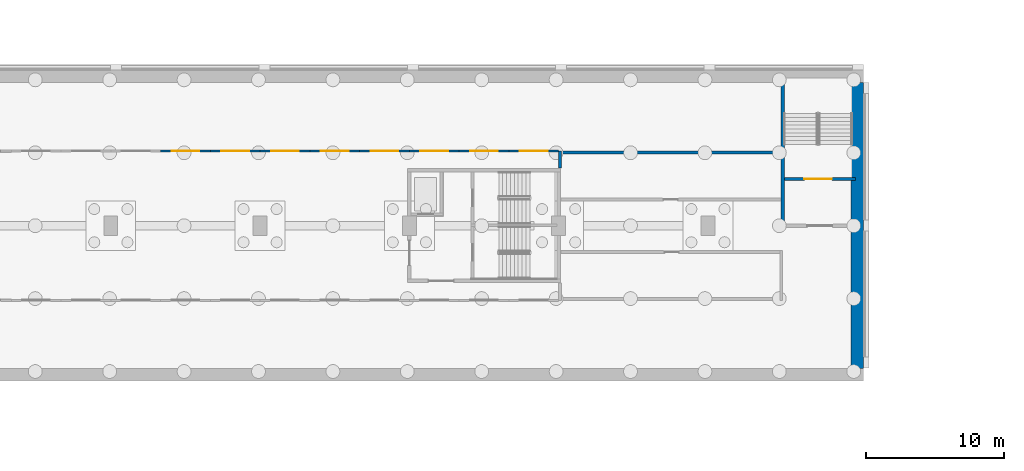
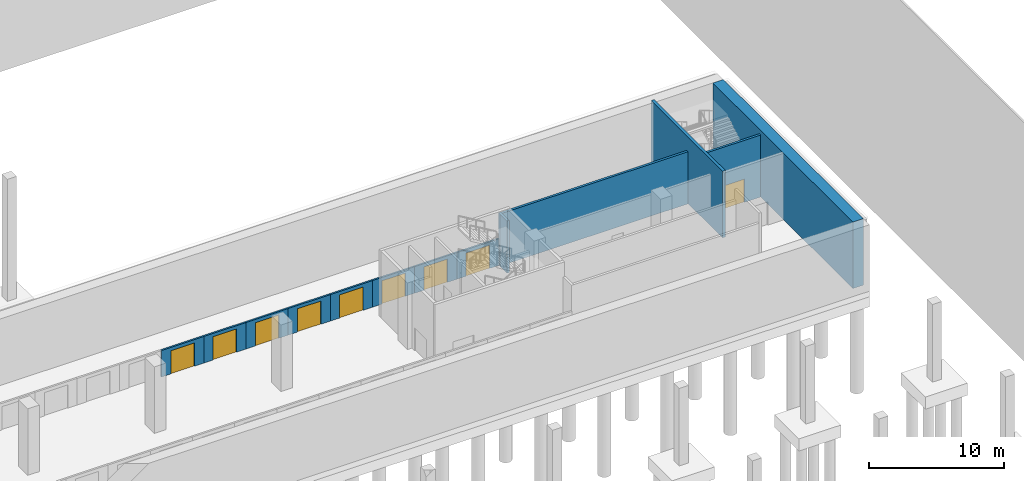
# One storey, part 12 of 39: 13 walls, 9 doors, 9 openings.
"""IFC4 building model written with IfcOpenShell, lengths in metres."""

from ifc_helpers import new_model, si_unit, direction, frame, frame_2d, origin, place, context, subcontext, project, spatial, rectangle, extrude, material, layer, layer_set, type_object, element, fill, save


model = new_model("IFC4")

# Units and contexts
model_context = context("Model", 3, precision=1e-05, world=origin(), true_north=direction((0.0, 1.0)))
body_context = subcontext(model_context, "Body", "Model", "MODEL_VIEW")
ifc_project = project(units=[si_unit("LENGTHUNIT", "METRE"), si_unit("AREAUNIT", "SQUARE_METRE"), si_unit("VOLUMEUNIT", "CUBIC_METRE"), si_unit("PLANEANGLEUNIT", "RADIAN"), si_unit("MASSUNIT", "GRAM", prefix="KILO")], contexts=[model_context])

# Site, building, storey
site_placement = place(None, origin())
site = spatial("IfcSite", under=ifc_project, at=site_placement, CompositionType="ELEMENT")
building_placement = place(site_placement, origin())
building = spatial("IfcBuilding", under=site, at=building_placement, Name="Magnolia Steps Interchange", CompositionType="ELEMENT")
storey_placement = place(building_placement, frame((0.0, 0.0, -11.39990234375)))
storey = spatial("IfcBuildingStorey", under=building, at=storey_placement, Name="B2", CompositionType="ELEMENT", Elevation=-11.39990234375)

# Wall, opening, door
ifc_material_1 = material(Name="Concrete C35", Category="concrete")
ifc_layer_1 = layer(ifc_material_1, 0.199951171875)
ifc_layer_set_1 = layer_set([ifc_layer_1], Name="Core enclosure wall 200")
wall_type_1 = type_object("IfcWallType", Name="Core enclosure wall 200", PredefinedType="SOLIDWALL", material=ifc_layer_set_1)
wall_1_placement = place(storey_placement, frame((177.52490234375, 67.375, 0.0), z_axis=(0.0, 0.0, 1.0), x_axis=(1.0, 0.0, 0.0)))
wall_1 = element("IfcWall", 1, at=wall_1_placement, inside=storey, type_object=wall_type_1, Name="B2 BE-E enclosure wall", PredefinedType="SOLIDWALL", context=body_context, shape_type="SweptSolid", body=[
    extrude(rectangle(XDim=5.150146484375, YDim=0.199951171875, at=frame_2d((2.5751953125, 0.0))), origin(), (0.0, 0.0, 1.0), 5.599853515625),
])
opening_1_placement = place(wall_1_placement, frame((1.449951171875, 0.0, 0.0)))
opening_1 = element("IfcOpeningElement", 2, at=opening_1_placement, cuts=wall_1, Name="Opening D-BE-E-B2-1", PredefinedType="OPENING", context=body_context, shape_type="SweptSolid", body=[
    extrude(rectangle(XDim=2.0, YDim=2.10009765625, at=frame_2d((1.0, 1.050048828125))), frame((0.0, 0.10986328125, 0.0), z_axis=(0.0, -1.0, 0.0), x_axis=(1.0, 0.0, 0.0)), (0.0, 0.0, 1.0), 0.219970703125),
])
ifc_material_2 = material(Name="Painted steel", Category="steel")
door_type_1 = type_object("IfcDoorType", Name="Stair fire door pair 2000x2100", OperationType="DOUBLE_DOOR_DOUBLE_SWING", PredefinedType="DOOR", material=ifc_material_2)
door_1_placement = place(opening_1_placement, frame((2.0, 0.0, 0.0), z_axis=(0.0, 0.0, 1.0), x_axis=(-1.0, 0.0, 0.0)))
door_1 = element("IfcDoor", 3, at=door_1_placement, inside=storey, type_object=door_type_1, Name="Stair door ST16 B2", OperationType="DOUBLE_DOOR_DOUBLE_SWING", OverallHeight=2.10009765625, OverallWidth=2.0, PredefinedType="DOOR", context=body_context, shape_type="SweptSolid", body=[
    extrude(rectangle(XDim=2.0, YDim=2.10009765625, at=frame_2d((1.0, 1.050048828125))), frame((0.0, 0.02490234375, 0.0), z_axis=(0.0, -1.0, 0.0), x_axis=(1.0, 0.0, 0.0)), (0.0, 0.0, 1.0), 0.050048828125),
])
fill(opening_1, door_1)

# Walls
ifc_material_3 = material(Name="Concrete C40", Category="concrete")
ifc_layer_2 = layer(ifc_material_3, 0.25)
ifc_layer_set_2 = layer_set([ifc_layer_2], Name="Core wall 250")
wall_type_2 = type_object("IfcWallType", Name="Core wall 250", PredefinedType="SOLIDWALL", material=ifc_layer_set_2)
wall_2_placement = place(storey_placement, frame((177.39990234375, 74.675048828125, 0.0), z_axis=(0.0, 0.0, 1.0), x_axis=(0.0, -1.0, 0.0)))
element("IfcWall", 4, at=wall_2_placement, inside=storey, type_object=wall_type_2, Name="Core wall BE-E", PredefinedType="SOLIDWALL", context=body_context, shape_type="SweptSolid", body=[
    extrude(rectangle(XDim=10.550048828125, YDim=0.25, at=frame_2d((5.27490234375, 0.0))), origin(), (0.0, 0.0, 1.0), 6.0),
])
ifc_material_4 = material(Name="Concrete C40", Category="concrete")
ifc_layer_3 = layer(ifc_material_4, 0.89990234375)
ifc_layer_set_3 = layer_set([ifc_layer_3], Name="Diaphragm wall 900")
wall_type_3 = type_object("IfcWallType", Name="Diaphragm wall 900", PredefinedType="SOLIDWALL", material=ifc_layer_set_3)
wall_3_placement = place(storey_placement, frame((182.800048828125, 53.64990234375, 0.0), z_axis=(0.0, 0.0, 1.0), x_axis=(0.0, 1.0, 0.0)))
element("IfcWall", 5, at=wall_3_placement, inside=storey, type_object=wall_type_3, Name="Metro box wall E", PredefinedType="SOLIDWALL", context=body_context, shape_type="SweptSolid", body=[
    extrude(rectangle(XDim=20.7001953125, YDim=0.89990234375, at=frame_2d((10.35009765625, 0.0))), origin(), (0.0, 0.0, 1.0), 6.0),
])
ifc_material_5 = material(Name="Fair-faced blockwork", Category="masonry")
ifc_layer_4 = layer(ifc_material_5, 0.199951171875)
ifc_layer_set_4 = layer_set([ifc_layer_4], Name="Fire partition wall 200")
wall_type_4 = type_object("IfcWallType", Name="Fire partition wall 200", PredefinedType="PARTITIONING", material=ifc_layer_set_4)
wall_4_placement = place(storey_placement, frame((161.300048828125, 68.155029296875, 0.0), z_axis=(0.0, 0.0, 1.0), x_axis=(0.0, 1.0, 0.0)))
element("IfcWall", 6, at=wall_4_placement, inside=storey, type_object=wall_type_4, Name="B2 partition 25", PredefinedType="PARTITIONING", context=body_context, shape_type="SweptSolid", body=[
    extrude(rectangle(XDim=1.244873046875, YDim=0.199951171875, at=frame_2d((0.62255859375, 0.0))), origin(), (0.0, 0.0, 1.0), 4.699951171875),
])
wall_5_placement = place(storey_placement, frame((161.199951171875, 69.300048828125, 0.0), z_axis=(0.0, 0.0, 1.0), x_axis=(1.0, 0.0, 0.0)))
element("IfcWall", 7, at=wall_5_placement, inside=storey, type_object=wall_type_4, Name="B2 partition 26", PredefinedType="PARTITIONING", context=body_context, shape_type="SweptSolid", body=[
    extrude(rectangle(XDim=16.045166015625, YDim=0.199951171875, at=frame_2d((8.0224609375, 0.0))), origin(), (0.0, 0.0, 1.0), 4.699951171875),
])

# Wall, opening, door
ifc_material_6 = material(Name="Toughened glass", Category="glass")
ifc_layer_5 = layer(ifc_material_6, 0.14990234375)
ifc_layer_set_5 = layer_set([ifc_layer_5], Name="Platform screen panel 150")
wall_type_5 = type_object("IfcWallType", Name="Platform screen panel 150", PredefinedType="PARTITIONING", material=ifc_layer_set_5)
wall_6_placement = place(storey_placement, frame((132.39990234375, 69.39990234375, 0.0), z_axis=(0.0, 0.0, 1.0), x_axis=(1.0, 0.0, 0.0)))
wall_6 = element("IfcWall", 8, at=wall_6_placement, inside=storey, type_object=wall_type_5, Name="Platform screen 53", PredefinedType="PARTITIONING", context=body_context, shape_type="SweptSolid", body=[
    extrude(rectangle(XDim=3.60009765625, YDim=0.14990234375, at=frame_2d((1.800048828125, 0.0))), origin(), (0.0, 0.0, 1.0), 2.39990234375),
])
opening_2_placement = place(wall_6_placement, frame((0.800048828125, 0.0, 0.0)))
opening_2 = element("IfcOpeningElement", 9, at=opening_2_placement, cuts=wall_6, Name="Opening PSD", PredefinedType="OPENING", context=body_context, shape_type="SweptSolid", body=[
    extrude(rectangle(XDim=2.0, YDim=2.10009765625, at=frame_2d((1.0, 1.050048828125))), frame((0.0, 0.0849609375, 0.0), z_axis=(0.0, -1.0, 0.0), x_axis=(1.0, 0.0, 0.0)), (0.0, 0.0, 1.0), 0.169921875),
])
ifc_material_7 = material(Name="Toughened glass", Category="glass")
door_type_2 = type_object("IfcDoorType", Name="Platform screen door 2000x2100", OperationType="DOUBLE_DOOR_SLIDING", PredefinedType="DOOR", material=ifc_material_7)
door_2_placement = place(opening_2_placement, origin())
door_2 = element("IfcDoor", 10, at=door_2_placement, inside=storey, type_object=door_type_2, Name="Platform screen door 53", OperationType="DOUBLE_DOOR_SLIDING", OverallHeight=2.10009765625, OverallWidth=2.0, PredefinedType="DOOR", context=body_context, shape_type="SweptSolid", body=[
    extrude(rectangle(XDim=2.0, YDim=2.10009765625, at=frame_2d((1.0, 1.050048828125))), frame((0.0, 0.02490234375, 0.0), z_axis=(0.0, -1.0, 0.0), x_axis=(1.0, 0.0, 0.0)), (0.0, 0.0, 1.0), 0.050048828125),
])
fill(opening_2, door_2)

wall_7_placement = place(storey_placement, frame((136.0, 69.39990234375, 0.0), z_axis=(0.0, 0.0, 1.0), x_axis=(1.0, 0.0, 0.0)))
wall_7 = element("IfcWall", 11, at=wall_7_placement, inside=storey, type_object=wall_type_5, Name="Platform screen 54", PredefinedType="PARTITIONING", context=body_context, shape_type="SweptSolid", body=[
    extrude(rectangle(XDim=3.60009765625, YDim=0.14990234375, at=frame_2d((1.800048828125, 0.0))), origin(), (0.0, 0.0, 1.0), 2.39990234375),
])
opening_3_placement = place(wall_7_placement, frame((0.800048828125, 0.0, 0.0)))
opening_3 = element("IfcOpeningElement", 12, at=opening_3_placement, cuts=wall_7, Name="Opening PSD", PredefinedType="OPENING", context=body_context, shape_type="SweptSolid", body=[
    extrude(rectangle(XDim=2.0, YDim=2.10009765625, at=frame_2d((1.0, 1.050048828125))), frame((0.0, 0.0849609375, 0.0), z_axis=(0.0, -1.0, 0.0), x_axis=(1.0, 0.0, 0.0)), (0.0, 0.0, 1.0), 0.169921875),
])
door_3_placement = place(opening_3_placement, origin())
door_3 = element("IfcDoor", 13, at=door_3_placement, inside=storey, type_object=door_type_2, Name="Platform screen door 54", OperationType="DOUBLE_DOOR_SLIDING", OverallHeight=2.10009765625, OverallWidth=2.0, PredefinedType="DOOR", context=body_context, shape_type="SweptSolid", body=[
    extrude(rectangle(XDim=2.0, YDim=2.10009765625, at=frame_2d((1.0, 1.050048828125))), frame((0.0, 0.02490234375, 0.0), z_axis=(0.0, -1.0, 0.0), x_axis=(1.0, 0.0, 0.0)), (0.0, 0.0, 1.0), 0.050048828125),
])
fill(opening_3, door_3)

wall_8_placement = place(storey_placement, frame((139.60009765625, 69.39990234375, 0.0), z_axis=(0.0, 0.0, 1.0), x_axis=(1.0, 0.0, 0.0)))
wall_8 = element("IfcWall", 14, at=wall_8_placement, inside=storey, type_object=wall_type_5, Name="Platform screen 55", PredefinedType="PARTITIONING", context=body_context, shape_type="SweptSolid", body=[
    extrude(rectangle(XDim=3.599853515625, YDim=0.14990234375, at=frame_2d((1.7998046875, 0.0))), origin(), (0.0, 0.0, 1.0), 2.39990234375),
])
opening_4_placement = place(wall_8_placement, frame((0.800048828125, 0.0, 0.0)))
opening_4 = element("IfcOpeningElement", 15, at=opening_4_placement, cuts=wall_8, Name="Opening PSD", PredefinedType="OPENING", context=body_context, shape_type="SweptSolid", body=[
    extrude(rectangle(XDim=2.0, YDim=2.10009765625, at=frame_2d((1.0, 1.050048828125))), frame((0.0, 0.0849609375, 0.0), z_axis=(0.0, -1.0, 0.0), x_axis=(1.0, 0.0, 0.0)), (0.0, 0.0, 1.0), 0.169921875),
])
door_4_placement = place(opening_4_placement, origin())
door_4 = element("IfcDoor", 16, at=door_4_placement, inside=storey, type_object=door_type_2, Name="Platform screen door 55", OperationType="DOUBLE_DOOR_SLIDING", OverallHeight=2.10009765625, OverallWidth=2.0, PredefinedType="DOOR", context=body_context, shape_type="SweptSolid", body=[
    extrude(rectangle(XDim=2.0, YDim=2.10009765625, at=frame_2d((1.0, 1.050048828125))), frame((0.0, 0.02490234375, 0.0), z_axis=(0.0, -1.0, 0.0), x_axis=(1.0, 0.0, 0.0)), (0.0, 0.0, 1.0), 0.050048828125),
])
fill(opening_4, door_4)

wall_9_placement = place(storey_placement, frame((143.199951171875, 69.39990234375, 0.0), z_axis=(0.0, 0.0, 1.0), x_axis=(1.0, 0.0, 0.0)))
wall_9 = element("IfcWall", 17, at=wall_9_placement, inside=storey, type_object=wall_type_5, Name="Platform screen 56", PredefinedType="PARTITIONING", context=body_context, shape_type="SweptSolid", body=[
    extrude(rectangle(XDim=3.60009765625, YDim=0.14990234375, at=frame_2d((1.800048828125, 0.0))), origin(), (0.0, 0.0, 1.0), 2.39990234375),
])
opening_5_placement = place(wall_9_placement, frame((0.800048828125, 0.0, 0.0)))
opening_5 = element("IfcOpeningElement", 18, at=opening_5_placement, cuts=wall_9, Name="Opening PSD", PredefinedType="OPENING", context=body_context, shape_type="SweptSolid", body=[
    extrude(rectangle(XDim=2.0, YDim=2.10009765625, at=frame_2d((1.0, 1.050048828125))), frame((0.0, 0.0849609375, 0.0), z_axis=(0.0, -1.0, 0.0), x_axis=(1.0, 0.0, 0.0)), (0.0, 0.0, 1.0), 0.169921875),
])
door_5_placement = place(opening_5_placement, origin())
door_5 = element("IfcDoor", 19, at=door_5_placement, inside=storey, type_object=door_type_2, Name="Platform screen door 56", OperationType="DOUBLE_DOOR_SLIDING", OverallHeight=2.10009765625, OverallWidth=2.0, PredefinedType="DOOR", context=body_context, shape_type="SweptSolid", body=[
    extrude(rectangle(XDim=2.0, YDim=2.10009765625, at=frame_2d((1.0, 1.050048828125))), frame((0.0, 0.02490234375, 0.0), z_axis=(0.0, -1.0, 0.0), x_axis=(1.0, 0.0, 0.0)), (0.0, 0.0, 1.0), 0.050048828125),
])
fill(opening_5, door_5)

wall_10_placement = place(storey_placement, frame((146.800048828125, 69.39990234375, 0.0), z_axis=(0.0, 0.0, 1.0), x_axis=(1.0, 0.0, 0.0)))
wall_10 = element("IfcWall", 20, at=wall_10_placement, inside=storey, type_object=wall_type_5, Name="Platform screen 57", PredefinedType="PARTITIONING", context=body_context, shape_type="SweptSolid", body=[
    extrude(rectangle(XDim=3.599853515625, YDim=0.14990234375, at=frame_2d((1.7998046875, 0.0))), origin(), (0.0, 0.0, 1.0), 2.39990234375),
])
opening_6_placement = place(wall_10_placement, frame((0.800048828125, 0.0, 0.0)))
opening_6 = element("IfcOpeningElement", 21, at=opening_6_placement, cuts=wall_10, Name="Opening PSD", PredefinedType="OPENING", context=body_context, shape_type="SweptSolid", body=[
    extrude(rectangle(XDim=2.0, YDim=2.10009765625, at=frame_2d((1.0, 1.050048828125))), frame((0.0, 0.0849609375, 0.0), z_axis=(0.0, -1.0, 0.0), x_axis=(1.0, 0.0, 0.0)), (0.0, 0.0, 1.0), 0.169921875),
])
door_6_placement = place(opening_6_placement, origin())
door_6 = element("IfcDoor", 22, at=door_6_placement, inside=storey, type_object=door_type_2, Name="Platform screen door 57", OperationType="DOUBLE_DOOR_SLIDING", OverallHeight=2.10009765625, OverallWidth=2.0, PredefinedType="DOOR", context=body_context, shape_type="SweptSolid", body=[
    extrude(rectangle(XDim=2.0, YDim=2.10009765625, at=frame_2d((1.0, 1.050048828125))), frame((0.0, 0.02490234375, 0.0), z_axis=(0.0, -1.0, 0.0), x_axis=(1.0, 0.0, 0.0)), (0.0, 0.0, 1.0), 0.050048828125),
])
fill(opening_6, door_6)

wall_11_placement = place(storey_placement, frame((150.39990234375, 69.39990234375, 0.0), z_axis=(0.0, 0.0, 1.0), x_axis=(1.0, 0.0, 0.0)))
wall_11 = element("IfcWall", 23, at=wall_11_placement, inside=storey, type_object=wall_type_5, Name="Platform screen 58", PredefinedType="PARTITIONING", context=body_context, shape_type="SweptSolid", body=[
    extrude(rectangle(XDim=3.60009765625, YDim=0.14990234375, at=frame_2d((1.800048828125, 0.0))), origin(), (0.0, 0.0, 1.0), 2.39990234375),
])
opening_7_placement = place(wall_11_placement, frame((0.800048828125, 0.0, 0.0)))
opening_7 = element("IfcOpeningElement", 24, at=opening_7_placement, cuts=wall_11, Name="Opening PSD", PredefinedType="OPENING", context=body_context, shape_type="SweptSolid", body=[
    extrude(rectangle(XDim=2.0, YDim=2.10009765625, at=frame_2d((1.0, 1.050048828125))), frame((0.0, 0.0849609375, 0.0), z_axis=(0.0, -1.0, 0.0), x_axis=(1.0, 0.0, 0.0)), (0.0, 0.0, 1.0), 0.169921875),
])
door_7_placement = place(opening_7_placement, origin())
door_7 = element("IfcDoor", 25, at=door_7_placement, inside=storey, type_object=door_type_2, Name="Platform screen door 58", OperationType="DOUBLE_DOOR_SLIDING", OverallHeight=2.10009765625, OverallWidth=2.0, PredefinedType="DOOR", context=body_context, shape_type="SweptSolid", body=[
    extrude(rectangle(XDim=2.0, YDim=2.10009765625, at=frame_2d((1.0, 1.050048828125))), frame((0.0, 0.02490234375, 0.0), z_axis=(0.0, -1.0, 0.0), x_axis=(1.0, 0.0, 0.0)), (0.0, 0.0, 1.0), 0.050048828125),
])
fill(opening_7, door_7)

wall_12_placement = place(storey_placement, frame((154.0, 69.39990234375, 0.0), z_axis=(0.0, 0.0, 1.0), x_axis=(1.0, 0.0, 0.0)))
wall_12 = element("IfcWall", 26, at=wall_12_placement, inside=storey, type_object=wall_type_5, Name="Platform screen 59", PredefinedType="PARTITIONING", context=body_context, shape_type="SweptSolid", body=[
    extrude(rectangle(XDim=3.60009765625, YDim=0.14990234375, at=frame_2d((1.800048828125, 0.0))), origin(), (0.0, 0.0, 1.0), 2.39990234375),
])
opening_8_placement = place(wall_12_placement, frame((0.800048828125, 0.0, 0.0)))
opening_8 = element("IfcOpeningElement", 27, at=opening_8_placement, cuts=wall_12, Name="Opening PSD", PredefinedType="OPENING", context=body_context, shape_type="SweptSolid", body=[
    extrude(rectangle(XDim=2.0, YDim=2.10009765625, at=frame_2d((1.0, 1.050048828125))), frame((0.0, 0.0849609375, 0.0), z_axis=(0.0, -1.0, 0.0), x_axis=(1.0, 0.0, 0.0)), (0.0, 0.0, 1.0), 0.169921875),
])
door_8_placement = place(opening_8_placement, origin())
door_8 = element("IfcDoor", 28, at=door_8_placement, inside=storey, type_object=door_type_2, Name="Platform screen door 59", OperationType="DOUBLE_DOOR_SLIDING", OverallHeight=2.10009765625, OverallWidth=2.0, PredefinedType="DOOR", context=body_context, shape_type="SweptSolid", body=[
    extrude(rectangle(XDim=2.0, YDim=2.10009765625, at=frame_2d((1.0, 1.050048828125))), frame((0.0, 0.02490234375, 0.0), z_axis=(0.0, -1.0, 0.0), x_axis=(1.0, 0.0, 0.0)), (0.0, 0.0, 1.0), 0.050048828125),
])
fill(opening_8, door_8)

wall_13_placement = place(storey_placement, frame((157.60009765625, 69.39990234375, 0.0), z_axis=(0.0, 0.0, 1.0), x_axis=(1.0, 0.0, 0.0)))
wall_13 = element("IfcWall", 29, at=wall_13_placement, inside=storey, type_object=wall_type_5, Name="Platform screen 60", PredefinedType="PARTITIONING", context=body_context, shape_type="SweptSolid", body=[
    extrude(rectangle(XDim=3.599853515625, YDim=0.14990234375, at=frame_2d((1.7998046875, 0.0))), origin(), (0.0, 0.0, 1.0), 2.39990234375),
])
opening_9_placement = place(wall_13_placement, frame((0.800048828125, 0.0, 0.0)))
opening_9 = element("IfcOpeningElement", 30, at=opening_9_placement, cuts=wall_13, Name="Opening PSD", PredefinedType="OPENING", context=body_context, shape_type="SweptSolid", body=[
    extrude(rectangle(XDim=2.0, YDim=2.10009765625, at=frame_2d((1.0, 1.050048828125))), frame((0.0, 0.0849609375, 0.0), z_axis=(0.0, -1.0, 0.0), x_axis=(1.0, 0.0, 0.0)), (0.0, 0.0, 1.0), 0.169921875),
])
door_9_placement = place(opening_9_placement, origin())
door_9 = element("IfcDoor", 31, at=door_9_placement, inside=storey, type_object=door_type_2, Name="Platform screen door 60", OperationType="DOUBLE_DOOR_SLIDING", OverallHeight=2.10009765625, OverallWidth=2.0, PredefinedType="DOOR", context=body_context, shape_type="SweptSolid", body=[
    extrude(rectangle(XDim=2.0, YDim=2.10009765625, at=frame_2d((1.0, 1.050048828125))), frame((0.0, 0.02490234375, 0.0), z_axis=(0.0, -1.0, 0.0), x_axis=(1.0, 0.0, 0.0)), (0.0, 0.0, 1.0), 0.050048828125),
])
fill(opening_9, door_9)

save(model, "model.ifc")
